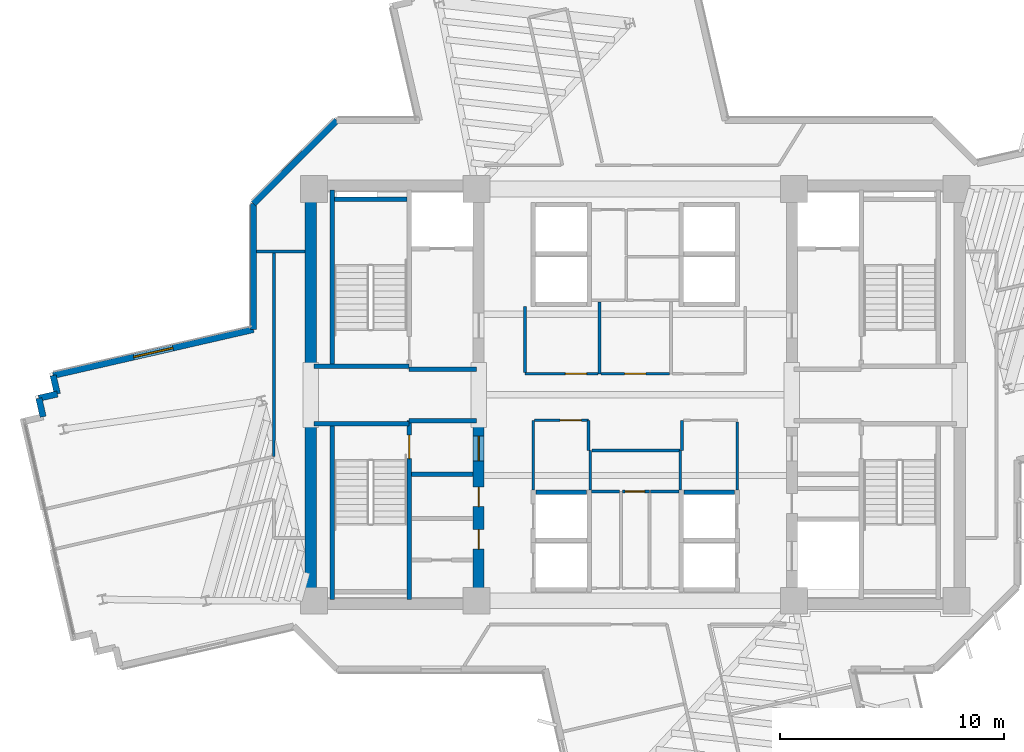
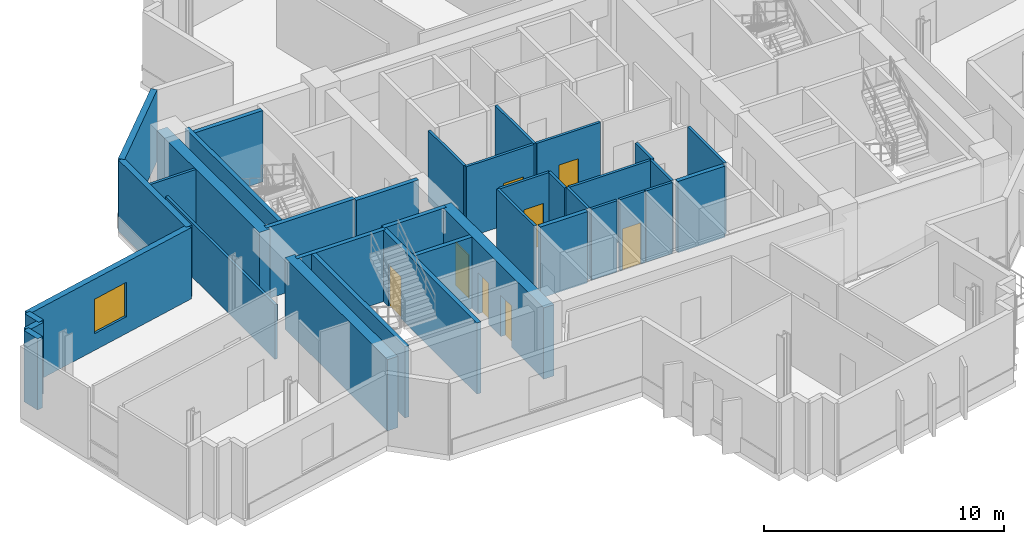
# One storey, part 7 of 13: 37 walls, 8 doors, 1 window, 9 openings.
"""IFC4 building model written with IfcOpenShell, lengths in metres."""

from ifc_helpers import new_model, si_unit, direction, frame, frame_2d, origin, place, context, subcontext, project, spatial, rectangle, extrude, source, transform, mapped, material, layer, layer_set, type_object, element, fill, save


model = new_model("IFC4")

# Units and contexts
model_context = context("Model", 3, precision=1e-05, world=origin(), true_north=direction((0.0, 1.0)))
body_context = subcontext(model_context, "Body", "Model", "MODEL_VIEW")
ifc_project = project(units=[si_unit("LENGTHUNIT", "METRE"), si_unit("AREAUNIT", "SQUARE_METRE"), si_unit("VOLUMEUNIT", "CUBIC_METRE"), si_unit("PLANEANGLEUNIT", "RADIAN"), si_unit("MASSUNIT", "GRAM", prefix="KILO")], contexts=[model_context])

# Site, building, storey
site_placement = place(None, origin())
site = spatial("IfcSite", under=ifc_project, at=site_placement, CompositionType="ELEMENT")
building_placement = place(site_placement, origin())
building = spatial("IfcBuilding", under=site, at=building_placement, Name="Zahravan Cultural Tower", CompositionType="ELEMENT")
storey_placement = place(building_placement, frame((0.0, 0.0, 170.699951171875)))
storey = spatial("IfcBuildingStorey", under=building, at=storey_placement, Name="L39", CompositionType="ELEMENT", Elevation=170.699951171875)

# Wall, openings, doors
ifc_material_1 = material(Name="Concrete C60/75", Category="concrete")
ifc_layer_1 = layer(ifc_material_1, 0.5)
ifc_layer_set_1 = layer_set([ifc_layer_1], Name="Concrete C60/75")
wall_type_1 = type_object("IfcWallType", Name="CW-SHEAR-500-C60", PredefinedType="SHEAR", material=ifc_layer_set_1)
wall_1_placement = place(storey_placement, frame((29.0, 17.39990234375, 0.0), z_axis=(0.0, 0.0, 1.0), x_axis=(0.0, 1.0, 0.0)))
wall_1 = element("IfcWall", 1, at=wall_1_placement, inside=storey, type_object=wall_type_1, Name="L39 Core Shear Wall CW-W-ES-L39", PredefinedType="SHEAR", context=body_context, shape_type="SweptSolid", body=[
    extrude(rectangle(XDim=8.550048828125, YDim=0.5, at=frame_2d((4.27490234375, 0.0))), origin(), (0.0, 0.0, 1.0), 3.6201171875),
])
opening_1_placement = place(wall_1_placement, frame((6.64990234375, 0.0, 0.0)))
opening_1 = element("IfcOpeningElement", 2, at=opening_1_placement, cuts=wall_1, Name="Opening D-L39-07", PredefinedType="OPENING", context=body_context, shape_type="SweptSolid", body=[
    extrude(rectangle(XDim=1.10009765625, YDim=2.199951171875, at=frame_2d((0.550048828125, 1.10009765625))), frame((0.0, 0.260009765625, 0.0), z_axis=(0.0, -1.0, 0.0), x_axis=(1.0, 0.0, 0.0)), (0.0, 0.0, 1.0), 0.52001953125),
])
opening_2_placement = place(wall_1_placement, frame((2.699951171875, 0.0, 0.0)))
opening_2 = element("IfcOpeningElement", 3, at=opening_2_placement, cuts=wall_1, Name="Opening D-L39-10", PredefinedType="OPENING", context=body_context, shape_type="SweptSolid", body=[
    extrude(rectangle(XDim=0.8798828125, YDim=2.10009765625, at=frame_2d((0.43994140625, 1.050048828125))), frame((0.0, 0.260009765625, 0.0), z_axis=(0.0, -1.0, 0.0), x_axis=(1.0, 0.0, 0.0)), (0.0, 0.0, 1.0), 0.52001953125),
])
opening_3_placement = place(wall_1_placement, frame((4.60009765625, 0.0, 0.0)))
opening_3 = element("IfcOpeningElement", 4, at=opening_3_placement, cuts=wall_1, Name="Opening D-L39-11", PredefinedType="OPENING", context=body_context, shape_type="SweptSolid", body=[
    extrude(rectangle(XDim=0.8798828125, YDim=2.10009765625, at=frame_2d((0.43994140625, 1.050048828125))), frame((0.0, 0.260009765625, 0.0), z_axis=(0.0, -1.0, 0.0), x_axis=(1.0, 0.0, 0.0)), (0.0, 0.0, 1.0), 0.52001953125),
])
ifc_material_2 = material(Name="Steel ASTM A572 Grade 50", Category="steel")
door_type_1 = type_object("IfcDoorType", Name="DR-LOBBY-1100", OperationType="NOTDEFINED", PredefinedType="DOOR", material=ifc_material_2)
shared_shape_1 = source(origin(), body_context, "Body", "SweptSolid", [
    extrude(rectangle(XDim=1.10009765625, YDim=2.199951171875, at=frame_2d((0.550048828125, 1.10009765625))), frame((0.0, 0.02490234375, 0.0), z_axis=(0.0, -1.0, 0.0), x_axis=(1.0, 0.0, 0.0)), (0.0, 0.0, 1.0), 0.050048828125),
])
door_1_placement = place(opening_1_placement, origin())
door_1 = element("IfcDoor", 5, at=door_1_placement, inside=storey, type_object=door_type_1, Name="L39 Door D-L39-07", OperationType="SINGLE_SWING_LEFT", OverallHeight=2.199951171875, OverallWidth=1.10009765625, PredefinedType="DOOR", context=body_context, shape_type="MappedRepresentation", body=[
    mapped(shared_shape_1, transform((0.0, 0.0, 0.0), x_axis=(1.0, 0.0, 0.0), y_axis=(0.0, 1.0, 0.0), z_axis=(0.0, 0.0, 1.0), scale=1.0)),
])
fill(opening_1, door_1)
door_type_2 = type_object("IfcDoorType", Name="DR-SVC-880", OperationType="NOTDEFINED", PredefinedType="DOOR", material=ifc_material_2)
shared_shape_2 = source(origin(), body_context, "Body", "SweptSolid", [
    extrude(rectangle(XDim=0.8798828125, YDim=2.10009765625, at=frame_2d((0.43994140625, 1.050048828125))), frame((0.0, 0.02490234375, 0.0), z_axis=(0.0, -1.0, 0.0), x_axis=(1.0, 0.0, 0.0)), (0.0, 0.0, 1.0), 0.050048828125),
])
door_2_placement = place(opening_2_placement, origin())
door_2 = element("IfcDoor", 6, at=door_2_placement, inside=storey, type_object=door_type_2, Name="L39 Door D-L39-10", OperationType="SINGLE_SWING_RIGHT", OverallHeight=2.10009765625, OverallWidth=0.8798828125, PredefinedType="DOOR", context=body_context, shape_type="MappedRepresentation", body=[
    mapped(shared_shape_2, transform((0.0, 0.0, 0.0), x_axis=(1.0, 0.0, 0.0), y_axis=(0.0, 1.0, 0.0), z_axis=(0.0, 0.0, 1.0), scale=1.0)),
])
fill(opening_2, door_2)
door_3_placement = place(opening_3_placement, origin())
door_3 = element("IfcDoor", 7, at=door_3_placement, inside=storey, type_object=door_type_2, Name="L39 Door D-L39-11", OperationType="SINGLE_SWING_LEFT", OverallHeight=2.10009765625, OverallWidth=0.8798828125, PredefinedType="DOOR", context=body_context, shape_type="MappedRepresentation", body=[
    mapped(shared_shape_2, transform((0.0, 0.0, 0.0), x_axis=(1.0, 0.0, 0.0), y_axis=(0.0, 1.0, 0.0), z_axis=(0.0, 0.0, 1.0), scale=1.0)),
])
fill(opening_3, door_3)

# Wall, opening, window
ifc_material_3 = material(Name="Precast concrete C40/50", Category="concrete")
ifc_layer_2 = layer(ifc_material_3, 0.280029296875)
ifc_layer_set_2 = layer_set([ifc_layer_2], Name="Precast concrete C40/50")
wall_type_2 = type_object("IfcWallType", Name="EW-TC-280", PredefinedType="SOLIDWALL", material=ifc_layer_set_2)
wall_2_placement = place(storey_placement, frame((9.98779296875, 27.86572265625, 0.0), z_axis=(0.0, 0.0, 1.0), x_axis=(0.974680686557, 0.223601340005, 0.0)))
wall_2 = element("IfcWall", 8, at=wall_2_placement, inside=storey, type_object=wall_type_2, Name="L39 Exterior Masonry Frame Wall 36", PredefinedType="SOLIDWALL", context=body_context, shape_type="SweptSolid", body=[
    extrude(rectangle(XDim=9.184814453125, YDim=0.280029296875, at=frame_2d((4.59228515625, 0.0))), origin(), (0.0, 0.0, 1.0), 3.6201171875),
])
opening_4_placement = place(wall_2_placement, frame((3.69189453125, 0.0, 0.85009765625)))
opening_4 = element("IfcOpeningElement", 9, at=opening_4_placement, cuts=wall_2, Name="Opening WN-02", PredefinedType="OPENING", context=body_context, shape_type="SweptSolid", body=[
    extrude(rectangle(XDim=1.800048828125, YDim=1.75, at=frame_2d((0.89990234375, 0.875))), frame((0.0, 0.14990234375, 0.0), z_axis=(0.0, -1.0, 0.0), x_axis=(1.0, 0.0, 0.0)), (0.0, 0.0, 1.0), 0.300048828125),
])
ifc_material_4 = material(Name="Low-E solar-control double glazing", Category="glass")
window_type = type_object("IfcWindowType", Name="WN-REC-1800X1750", PartitioningType="DOUBLE_PANEL_VERTICAL", PredefinedType="WINDOW", material=ifc_material_4)
shared_shape_3 = source(origin(), body_context, "Body", "SweptSolid", [
    extrude(rectangle(XDim=1.800048828125, YDim=1.75, at=frame_2d((0.89990234375, 0.875))), frame((0.0, 0.030029296875, 0.0), z_axis=(0.0, -1.0, 0.0), x_axis=(1.0, 0.0, 0.0)), (0.0, 0.0, 1.0), 0.06005859375),
])
window_placement = place(opening_4_placement, origin())
window = element("IfcWindow", 10, at=window_placement, inside=storey, type_object=window_type, Name="L39 Recessed Solar Window 08", OverallHeight=1.75, OverallWidth=1.800048828125, PartitioningType="DOUBLE_PANEL_VERTICAL", PredefinedType="WINDOW", context=body_context, shape_type="MappedRepresentation", body=[
    mapped(shared_shape_3, transform((0.0, 0.0, 0.0), x_axis=(1.0, 0.0, 0.0), y_axis=(0.0, 1.0, 0.0), z_axis=(0.0, 0.0, 1.0), scale=1.0)),
])
fill(opening_4, window)

# Wall, opening, door
ifc_material_5 = material(Name="Gypsum plasterboard partition")
ifc_layer_3 = layer(ifc_material_5, 0.125)
ifc_layer_set_3 = layer_set([ifc_layer_3], Name="Gypsum plasterboard partition")
wall_type_3 = type_object("IfcWallType", Name="W-PART-125", PredefinedType="PARTITIONING", material=ifc_layer_set_3)
wall_3_placement = place(storey_placement, frame((35.427490234375, 22.679931640625, 0.0), z_axis=(0.0, 0.0, 1.0), x_axis=(1.0, 0.0, 0.0)))
wall_3 = element("IfcWall", 11, at=wall_3_placement, inside=storey, type_object=wall_type_3, Name="L39 Interior Wall 063", PredefinedType="PARTITIONING", context=body_context, shape_type="SweptSolid", body=[
    extrude(rectangle(XDim=1.21240234375, YDim=0.125, at=frame_2d((0.606201171875, 0.0))), origin(), (0.0, 0.0, 1.0), 3.6201171875),
])
opening_5_placement = place(wall_3_placement, frame((0.116455078125, 0.0, 0.0)))
opening_5 = element("IfcOpeningElement", 12, at=opening_5_placement, cuts=wall_3, Name="Opening D-L39-32", PredefinedType="OPENING", context=body_context, shape_type="SweptSolid", body=[
    extrude(rectangle(XDim=0.8798828125, YDim=2.10009765625, at=frame_2d((0.43994140625, 1.050048828125))), frame((0.0, 0.072509765625, 0.0), z_axis=(0.0, -1.0, 0.0), x_axis=(1.0, 0.0, 0.0)), (0.0, 0.0, 1.0), 0.14501953125),
])
ifc_material_6 = material(Name="Anodised bronze-aluminium mullion", Category="aluminium")
door_type_3 = type_object("IfcDoorType", Name="DR-ROOM-880", OperationType="NOTDEFINED", PredefinedType="DOOR", material=ifc_material_6)
door_4_placement = place(opening_5_placement, origin())
door_4 = element("IfcDoor", 13, at=door_4_placement, inside=storey, type_object=door_type_3, Name="L39 Door D-L39-32", OperationType="SINGLE_SWING_RIGHT", OverallHeight=2.10009765625, OverallWidth=0.8798828125, PredefinedType="DOOR", context=body_context, shape_type="MappedRepresentation", body=[
    mapped(shared_shape_2, transform((0.0, 0.0, 0.0), x_axis=(1.0, 0.0, 0.0), y_axis=(0.0, 1.0, 0.0), z_axis=(0.0, 0.0, 1.0), scale=1.0)),
])
fill(opening_5, door_4)

wall_4_placement = place(storey_placement, frame((31.507568359375, 25.860107421875, 0.0), z_axis=(0.0, 0.0, 1.0), x_axis=(1.0, 0.0, 0.0)))
wall_4 = element("IfcWall", 14, at=wall_4_placement, inside=storey, type_object=wall_type_3, Name="L39 Interior Wall 076", PredefinedType="PARTITIONING", context=body_context, shape_type="SweptSolid", body=[
    extrude(rectangle(XDim=2.40234375, YDim=0.125, at=frame_2d((1.201171875, 0.0))), origin(), (0.0, 0.0, 1.0), 3.6201171875),
])
opening_6_placement = place(wall_4_placement, frame((1.1328125, 0.0, 0.0)))
opening_6 = element("IfcOpeningElement", 15, at=opening_6_placement, cuts=wall_4, Name="Opening D-L39-13", PredefinedType="OPENING", context=body_context, shape_type="SweptSolid", body=[
    extrude(rectangle(XDim=0.949951171875, YDim=2.14990234375, at=frame_2d((0.47509765625, 1.074951171875))), frame((0.0, 0.072509765625, 0.0), z_axis=(0.0, -1.0, 0.0), x_axis=(1.0, 0.0, 0.0)), (0.0, 0.0, 1.0), 0.14501953125),
])
door_type_4 = type_object("IfcDoorType", Name="DR-ROOM-950", OperationType="NOTDEFINED", PredefinedType="DOOR", material=ifc_material_6)
shared_shape_4 = source(origin(), body_context, "Body", "SweptSolid", [
    extrude(rectangle(XDim=0.949951171875, YDim=2.14990234375, at=frame_2d((0.47509765625, 1.074951171875))), frame((0.0, 0.02490234375, 0.0), z_axis=(0.0, -1.0, 0.0), x_axis=(1.0, 0.0, 0.0)), (0.0, 0.0, 1.0), 0.050048828125),
])
door_5_placement = place(opening_6_placement, origin())
door_5 = element("IfcDoor", 16, at=door_5_placement, inside=storey, type_object=door_type_4, Name="L39 Door D-L39-13", OperationType="SINGLE_SWING_LEFT", OverallHeight=2.14990234375, OverallWidth=0.949951171875, PredefinedType="DOOR", context=body_context, shape_type="MappedRepresentation", body=[
    mapped(shared_shape_4, transform((0.0, 0.0, 0.0), x_axis=(1.0, 0.0, 0.0), y_axis=(0.0, 1.0, 0.0), z_axis=(0.0, 0.0, 1.0), scale=1.0)),
])
fill(opening_6, door_5)

wall_5_placement = place(storey_placement, frame((37.532470703125, 27.93994140625, 0.0), z_axis=(0.0, 0.0, 1.0), x_axis=(-1.0, 0.0, 0.0)))
wall_5 = element("IfcWall", 17, at=wall_5_placement, inside=storey, type_object=wall_type_3, Name="L39 Interior Wall 083", PredefinedType="PARTITIONING", context=body_context, shape_type="SweptSolid", body=[
    extrude(rectangle(XDim=3.06494140625, YDim=0.125, at=frame_2d((1.532470703125, 0.0))), origin(), (0.0, 0.0, 1.0), 3.6201171875),
])
opening_7_placement = place(wall_5_placement, frame((1.0576171875, 0.0, 0.0)))
opening_7 = element("IfcOpeningElement", 18, at=opening_7_placement, cuts=wall_5, Name="Opening D-L39-18", PredefinedType="OPENING", context=body_context, shape_type="SweptSolid", body=[
    extrude(rectangle(XDim=0.949951171875, YDim=2.14990234375, at=frame_2d((0.47509765625, 1.074951171875))), frame((0.0, 0.072509765625, 0.0), z_axis=(0.0, -1.0, 0.0), x_axis=(1.0, 0.0, 0.0)), (0.0, 0.0, 1.0), 0.14501953125),
])
door_6_placement = place(opening_7_placement, origin())
door_6 = element("IfcDoor", 19, at=door_6_placement, inside=storey, type_object=door_type_4, Name="L39 Door D-L39-18", OperationType="SINGLE_SWING_RIGHT", OverallHeight=2.14990234375, OverallWidth=0.949951171875, PredefinedType="DOOR", context=body_context, shape_type="MappedRepresentation", body=[
    mapped(shared_shape_4, transform((0.0, 0.0, 0.0), x_axis=(1.0, 0.0, 0.0), y_axis=(0.0, 1.0, 0.0), z_axis=(0.0, 0.0, 1.0), scale=1.0)),
])
fill(opening_7, door_6)

wall_6_placement = place(storey_placement, frame((34.33251953125, 27.93994140625, 0.0), z_axis=(0.0, 0.0, 1.0), x_axis=(-1.0, 0.0, 0.0)))
wall_6 = element("IfcWall", 20, at=wall_6_placement, inside=storey, type_object=wall_type_3, Name="L39 Interior Wall 084", PredefinedType="PARTITIONING", context=body_context, shape_type="SweptSolid", body=[
    extrude(rectangle(XDim=3.25244140625, YDim=0.125, at=frame_2d((1.626220703125, 0.0))), origin(), (0.0, 0.0, 1.0), 3.6201171875),
])
opening_8_placement = place(wall_6_placement, frame((0.506591796875, 0.0, 0.0)))
opening_8 = element("IfcOpeningElement", 21, at=opening_8_placement, cuts=wall_6, Name="Opening D-L39-17", PredefinedType="OPENING", context=body_context, shape_type="SweptSolid", body=[
    extrude(rectangle(XDim=0.949951171875, YDim=2.14990234375, at=frame_2d((0.47509765625, 1.074951171875))), frame((0.0, 0.072509765625, 0.0), z_axis=(0.0, -1.0, 0.0), x_axis=(1.0, 0.0, 0.0)), (0.0, 0.0, 1.0), 0.14501953125),
])
door_7_placement = place(opening_8_placement, origin())
door_7 = element("IfcDoor", 22, at=door_7_placement, inside=storey, type_object=door_type_4, Name="L39 Door D-L39-17", OperationType="SINGLE_SWING_LEFT", OverallHeight=2.14990234375, OverallWidth=0.949951171875, PredefinedType="DOOR", context=body_context, shape_type="MappedRepresentation", body=[
    mapped(shared_shape_4, transform((0.0, 0.0, 0.0), x_axis=(1.0, 0.0, 0.0), y_axis=(0.0, 1.0, 0.0), z_axis=(0.0, 0.0, 1.0), scale=1.0)),
])
fill(opening_8, door_7)

ifc_material_7 = material(Name="Concrete C45/55", Category="concrete")
ifc_layer_4 = layer(ifc_material_7, 0.199951171875)
ifc_layer_set_4 = layer_set([ifc_layer_4], Name="Concrete C45/55")
wall_type_4 = type_object("IfcWallType", Name="W-SHAFT-200", PredefinedType="SOLIDWALL", material=ifc_layer_set_4)
wall_7_placement = place(storey_placement, frame((25.89990234375, 17.85009765625, 0.0), z_axis=(0.0, 0.0, 1.0), x_axis=(0.0, 1.0, 0.0)))
wall_7 = element("IfcWall", 23, at=wall_7_placement, inside=storey, type_object=wall_type_4, Name="L39 Interior Wall 005", PredefinedType="SOLIDWALL", context=body_context, shape_type="SweptSolid", body=[
    extrude(rectangle(XDim=8.0, YDim=0.199951171875, at=frame_2d((4.0, 0.0))), origin(), (0.0, 0.0, 1.0), 3.6201171875),
])
opening_9_placement = place(wall_7_placement, frame((6.300048828125, 0.0, 0.0)))
opening_9 = element("IfcOpeningElement", 24, at=opening_9_placement, cuts=wall_7, Name="Opening D-L39-04", PredefinedType="OPENING", context=body_context, shape_type="SweptSolid", body=[
    extrude(rectangle(XDim=1.050048828125, YDim=2.14990234375, at=frame_2d((0.52490234375, 1.074951171875))), frame((0.0, 0.10986328125, 0.0), z_axis=(0.0, -1.0, 0.0), x_axis=(1.0, 0.0, 0.0)), (0.0, 0.0, 1.0), 0.219970703125),
])
door_type_5 = type_object("IfcDoorType", Name="DR-STAIR-1050", OperationType="NOTDEFINED", PredefinedType="DOOR", material=ifc_material_2)
shared_shape_5 = source(origin(), body_context, "Body", "SweptSolid", [
    extrude(rectangle(XDim=1.050048828125, YDim=2.14990234375, at=frame_2d((0.52490234375, 1.074951171875))), frame((0.0, 0.02490234375, 0.0), z_axis=(0.0, -1.0, 0.0), x_axis=(1.0, 0.0, 0.0)), (0.0, 0.0, 1.0), 0.050048828125),
])
door_8_placement = place(opening_9_placement, origin())
door_8 = element("IfcDoor", 25, at=door_8_placement, inside=storey, type_object=door_type_5, Name="L39 Door D-L39-04", OperationType="SINGLE_SWING_RIGHT", OverallHeight=2.14990234375, OverallWidth=1.050048828125, PredefinedType="DOOR", context=body_context, shape_type="MappedRepresentation", body=[
    mapped(shared_shape_5, transform((0.0, 0.0, 0.0), x_axis=(1.0, 0.0, 0.0), y_axis=(0.0, 1.0, 0.0), z_axis=(0.0, 0.0, 1.0), scale=1.0)),
])
fill(opening_9, door_8)

# Walls
shared_shape_6 = source(origin(), body_context, "Body", "SweptSolid", [
    extrude(rectangle(XDim=8.550048828125, YDim=0.5, at=frame_2d((4.27490234375, 0.0))), origin(), (0.0, 0.0, 1.0), 3.6201171875),
])
for number, where, z_axis, x_axis, name in (
    (26, (21.5, 17.39990234375, 0.0), (0.0, 0.0, 1.0), (0.0, 1.0, 0.0), "L39 Core Shear Wall CW-W-WS-L39"),
    (27, (21.5, 28.050048828125, 0.0), (0.0, 0.0, 1.0), (0.0, 1.0, 0.0), "L39 Core Shear Wall CW-W-WN-L39"),
):
    element("IfcWall", number, at=place(storey_placement, frame(where, z_axis=z_axis, x_axis=x_axis)), inside=storey, type_object=wall_type_1, Name=name, PredefinedType="SHEAR", context=body_context, shape_type="MappedRepresentation", body=[
        mapped(shared_shape_6, transform((0.0, 0.0, 0.0), x_axis=(1.0, 0.0, 0.0), y_axis=(0.0, 1.0, 0.0), z_axis=(0.0, 0.0, 1.0), scale=1.0)),
    ])
shared_shape_7 = source(origin(), body_context, "Body", "SweptSolid", [
    extrude(rectangle(XDim=0.85009765625, YDim=0.280029296875, at=frame_2d((0.425048828125, 0.0))), origin(), (0.0, 0.0, 1.0), 3.6201171875),
])
wall_8_placement = place(storey_placement, frame((9.539306640625, 26.018798828125, 0.0), z_axis=(0.0, 0.0, 1.0), x_axis=(-0.22316012353, 0.974781800849, 0.0)))
element("IfcWall", 28, at=wall_8_placement, inside=storey, type_object=wall_type_2, Name="L39 Exterior Masonry Frame Wall 33", PredefinedType="SOLIDWALL", context=body_context, shape_type="MappedRepresentation", body=[
    mapped(shared_shape_7, transform((0.0, 0.0, 0.0), x_axis=(1.0, 0.0, 0.0), y_axis=(0.0, 1.0, 0.0), z_axis=(0.0, 0.0, 1.0), scale=1.0)),
])
shared_shape_8 = source(origin(), body_context, "Body", "SweptSolid", [
    extrude(rectangle(XDim=5.258056640625, YDim=0.280029296875, at=frame_2d((2.62890625, 0.0))), origin(), (0.0, 0.0, 1.0), 3.6201171875),
])
wall_9_placement = place(storey_placement, frame((18.93994140625, 35.5419921875, 0.0), z_axis=(0.0, 0.0, 1.0), x_axis=(0.707106781187, 0.707106781187, 0.0)))
element("IfcWall", 29, at=wall_9_placement, inside=storey, type_object=wall_type_2, Name="L39 Exterior Masonry Frame Wall 38", PredefinedType="SOLIDWALL", context=body_context, shape_type="MappedRepresentation", body=[
    mapped(shared_shape_8, transform((0.0, 0.0, 0.0), x_axis=(1.0, 0.0, 0.0), y_axis=(0.0, 1.0, 0.0), z_axis=(0.0, 0.0, 1.0), scale=1.0)),
])
shared_shape_9 = source(origin(), body_context, "Body", "SweptSolid", [
    extrude(rectangle(XDim=0.849853515625, YDim=0.280029296875, at=frame_2d((0.4248046875, 0.0))), origin(), (0.0, 0.0, 1.0), 3.6201171875),
])
for number, where, z_axis, x_axis, name in (
    (30, (9.349609375, 26.847412109375, 0.0), (0.0, 0.0, 1.0), (0.974704946586, 0.223495563939, 0.0), "L39 Exterior Masonry Frame Wall 34"),
    (31, (10.177978515625, 27.037353515625, 0.0), (0.0, 0.0, 1.0), (-0.223768457828, 0.974642333003, 0.0), "L39 Exterior Masonry Frame Wall 35"),
):
    element("IfcWall", number, at=place(storey_placement, frame(where, z_axis=z_axis, x_axis=x_axis)), inside=storey, type_object=wall_type_2, Name=name, PredefinedType="SOLIDWALL", context=body_context, shape_type="MappedRepresentation", body=[
        mapped(shared_shape_9, transform((0.0, 0.0, 0.0), x_axis=(1.0, 0.0, 0.0), y_axis=(0.0, 1.0, 0.0), z_axis=(0.0, 0.0, 1.0), scale=1.0)),
    ])
shared_shape_10 = source(origin(), body_context, "Body", "SweptSolid", [
    extrude(rectangle(XDim=5.62255859375, YDim=0.280029296875, at=frame_2d((2.811279296875, 0.0))), origin(), (0.0, 0.0, 1.0), 3.6201171875),
])
wall_10_placement = place(storey_placement, frame((18.93994140625, 29.91943359375, 0.0), z_axis=(0.0, 0.0, 1.0), x_axis=(0.0, 1.0, 0.0)))
element("IfcWall", 32, at=wall_10_placement, inside=storey, type_object=wall_type_2, Name="L39 Exterior Masonry Frame Wall 37", PredefinedType="SOLIDWALL", context=body_context, shape_type="MappedRepresentation", body=[
    mapped(shared_shape_10, transform((0.0, 0.0, 0.0), x_axis=(1.0, 0.0, 0.0), y_axis=(0.0, 1.0, 0.0), z_axis=(0.0, 0.0, 1.0), scale=1.0)),
])
shared_shape_11 = source(origin(), body_context, "Body", "SweptSolid", [
    extrude(rectangle(XDim=7.869873046875, YDim=0.199951171875, at=frame_2d((3.93505859375, 0.0))), origin(), (0.0, 0.0, 1.0), 3.6201171875),
])
for number, where, z_axis, x_axis, name in (
    (33, (22.449951171875, 17.85009765625, 0.0), (0.0, 0.0, 1.0), (0.0, 1.0, 0.0), "L39 Interior Wall 001"),
    (34, (22.449951171875, 28.280029296875, 0.0), (0.0, 0.0, 1.0), (0.0, 1.0, 0.0), "L39 Interior Wall 002"),
):
    element("IfcWall", number, at=place(storey_placement, frame(where, z_axis=z_axis, x_axis=x_axis)), inside=storey, type_object=wall_type_4, Name=name, PredefinedType="SOLIDWALL", context=body_context, shape_type="MappedRepresentation", body=[
        mapped(shared_shape_11, transform((0.0, 0.0, 0.0), x_axis=(1.0, 0.0, 0.0), y_axis=(0.0, 1.0, 0.0), z_axis=(0.0, 0.0, 1.0), scale=1.0)),
    ])
shared_shape_12 = source(origin(), body_context, "Body", "SweptSolid", [
    extrude(rectangle(XDim=4.25, YDim=0.199951171875, at=frame_2d((2.125, 0.0))), origin(), (0.0, 0.0, 1.0), 3.6201171875),
])
for number, where, z_axis, x_axis, name in (
    (35, (21.64990234375, 25.715087890625, 0.0), (0.0, 0.0, 1.0), (1.0, 0.0, 0.0), "L39 Interior Wall 009"),
    (36, (21.64990234375, 28.284912109375, 0.0), (0.0, 0.0, 1.0), (1.0, 0.0, 0.0), "L39 Interior Wall 011"),
):
    element("IfcWall", number, at=place(storey_placement, frame(where, z_axis=z_axis, x_axis=x_axis)), inside=storey, type_object=wall_type_4, Name=name, PredefinedType="SOLIDWALL", context=body_context, shape_type="MappedRepresentation", body=[
        mapped(shared_shape_12, transform((0.0, 0.0, 0.0), x_axis=(1.0, 0.0, 0.0), y_axis=(0.0, 1.0, 0.0), z_axis=(0.0, 0.0, 1.0), scale=1.0)),
    ])
shared_shape_13 = source(origin(), body_context, "Body", "SweptSolid", [
    extrude(rectangle(XDim=3.0, YDim=0.199951171875, at=frame_2d((1.5, 0.0))), origin(), (0.0, 0.0, 1.0), 3.6201171875),
])
for number, where, z_axis, x_axis, name in (
    (37, (25.89990234375, 25.85009765625, 0.0), (0.0, 0.0, 1.0), (1.0, 0.0, 0.0), "L39 Interior Wall 010"),
    (38, (25.89990234375, 28.14990234375, 0.0), (0.0, 0.0, 1.0), (1.0, 0.0, 0.0), "L39 Interior Wall 012"),
):
    element("IfcWall", number, at=place(storey_placement, frame(where, z_axis=z_axis, x_axis=x_axis)), inside=storey, type_object=wall_type_4, Name=name, PredefinedType="SOLIDWALL", context=body_context, shape_type="MappedRepresentation", body=[
        mapped(shared_shape_13, transform((0.0, 0.0, 0.0), x_axis=(1.0, 0.0, 0.0), y_axis=(0.0, 1.0, 0.0), z_axis=(0.0, 0.0, 1.0), scale=1.0)),
    ])
shared_shape_14 = source(origin(), body_context, "Body", "SweptSolid", [
    extrude(rectangle(XDim=3.25, YDim=0.199951171875, at=frame_2d((1.625, 0.0))), origin(), (0.0, 0.0, 1.0), 3.6201171875),
])
wall_11_placement = place(storey_placement, frame((22.550048828125, 35.75, 0.0), z_axis=(0.0, 0.0, 1.0), x_axis=(1.0, 0.0, 0.0)))
element("IfcWall", 39, at=wall_11_placement, inside=storey, type_object=wall_type_4, Name="L39 Interior Wall 017", PredefinedType="SOLIDWALL", context=body_context, shape_type="MappedRepresentation", body=[
    mapped(shared_shape_14, transform((0.0, 0.0, 0.0), x_axis=(1.0, 0.0, 0.0), y_axis=(0.0, 1.0, 0.0), z_axis=(0.0, 0.0, 1.0), scale=1.0)),
])
shared_shape_15 = source(origin(), body_context, "Body", "SweptSolid", [
    extrude(rectangle(XDim=2.75, YDim=0.199951171875, at=frame_2d((1.375, 0.0))), origin(), (0.0, 0.0, 1.0), 3.6201171875),
])
wall_12_placement = place(storey_placement, frame((26.0, 23.449951171875, 0.0), z_axis=(0.0, 0.0, 1.0), x_axis=(1.0, 0.0, 0.0)))
element("IfcWall", 40, at=wall_12_placement, inside=storey, type_object=wall_type_4, Name="L39 Interior Wall 023", PredefinedType="SOLIDWALL", context=body_context, shape_type="MappedRepresentation", body=[
    mapped(shared_shape_15, transform((0.0, 0.0, 0.0), x_axis=(1.0, 0.0, 0.0), y_axis=(0.0, 1.0, 0.0), z_axis=(0.0, 0.0, 1.0), scale=1.0)),
])
shared_shape_16 = source(origin(), body_context, "Body", "SweptSolid", [
    extrude(rectangle(XDim=2.260009765625, YDim=0.199951171875, at=frame_2d((1.1298828125, 0.0))), origin(), (0.0, 0.0, 1.0), 3.6201171875),
])
for number, where, z_axis, x_axis, name in (
    (41, (31.570068359375, 22.64990234375, 0.0), (0.0, 0.0, 1.0), (1.0, 0.0, 0.0), "L39 Interior Wall 046"),
    (42, (38.169921875, 22.64990234375, 0.0), (0.0, 0.0, 1.0), (1.0, 0.0, 0.0), "L39 Interior Wall 053"),
):
    element("IfcWall", number, at=place(storey_placement, frame(where, z_axis=z_axis, x_axis=x_axis)), inside=storey, type_object=wall_type_4, Name=name, PredefinedType="SOLIDWALL", context=body_context, shape_type="MappedRepresentation", body=[
        mapped(shared_shape_16, transform((0.0, 0.0, 0.0), x_axis=(1.0, 0.0, 0.0), y_axis=(0.0, 1.0, 0.0), z_axis=(0.0, 0.0, 1.0), scale=1.0)),
    ])
shared_shape_17 = source(origin(), body_context, "Body", "SweptSolid", [
    extrude(rectangle(XDim=3.110107421875, YDim=0.125, at=frame_2d((1.55517578125, 0.0))), origin(), (0.0, 0.0, 1.0), 3.6201171875),
])
wall_13_placement = place(storey_placement, frame((31.43994140625, 22.75, 0.0), z_axis=(0.0, 0.0, 1.0), x_axis=(0.0, 1.0, 0.0)))
element("IfcWall", 43, at=wall_13_placement, inside=storey, type_object=wall_type_3, Name="L39 Interior Wall 075", PredefinedType="PARTITIONING", context=body_context, shape_type="MappedRepresentation", body=[
    mapped(shared_shape_17, transform((0.0, 0.0, 0.0), x_axis=(1.0, 0.0, 0.0), y_axis=(0.0, 1.0, 0.0), z_axis=(0.0, 0.0, 1.0), scale=1.0)),
])
shared_shape_18 = source(origin(), body_context, "Body", "SweptSolid", [
    extrude(rectangle(XDim=3.04248046875, YDim=0.125, at=frame_2d((1.521240234375, 0.0))), origin(), (0.0, 0.0, 1.0), 3.6201171875),
])
wall_14_placement = place(storey_placement, frame((40.56005859375, 25.79248046875, 0.0), z_axis=(0.0, 0.0, 1.0), x_axis=(0.0, -1.0, 0.0)))
element("IfcWall", 44, at=wall_14_placement, inside=storey, type_object=wall_type_3, Name="L39 Interior Wall 080", PredefinedType="PARTITIONING", context=body_context, shape_type="MappedRepresentation", body=[
    mapped(shared_shape_18, transform((0.0, 0.0, 0.0), x_axis=(1.0, 0.0, 0.0), y_axis=(0.0, 1.0, 0.0), z_axis=(0.0, 0.0, 1.0), scale=1.0)),
])
shared_shape_19 = source(origin(), body_context, "Body", "SweptSolid", [
    extrude(rectangle(XDim=2.9423828125, YDim=0.125, at=frame_2d((1.47119140625, 0.0))), origin(), (0.0, 0.0, 1.0), 3.6201171875),
])
wall_15_placement = place(storey_placement, frame((31.080078125, 28.007568359375, 0.0), z_axis=(0.0, 0.0, 1.0), x_axis=(0.0, 1.0, 0.0)))
element("IfcWall", 45, at=wall_15_placement, inside=storey, type_object=wall_type_3, Name="L39 Interior Wall 085", PredefinedType="PARTITIONING", context=body_context, shape_type="MappedRepresentation", body=[
    mapped(shared_shape_19, transform((0.0, 0.0, 0.0), x_axis=(1.0, 0.0, 0.0), y_axis=(0.0, 1.0, 0.0), z_axis=(0.0, 0.0, 1.0), scale=1.0)),
])
shared_shape_20 = source(origin(), body_context, "Body", "SweptSolid", [
    extrude(rectangle(XDim=1.237548828125, YDim=0.125, at=frame_2d((0.61865234375, 0.0))), origin(), (0.0, 0.0, 1.0), 3.6201171875),
])
wall_16_placement = place(storey_placement, frame((34.054931640625, 22.679931640625, 0.0), z_axis=(0.0, 0.0, 1.0), x_axis=(1.0, 0.0, 0.0)))
element("IfcWall", 46, at=wall_16_placement, inside=storey, type_object=wall_type_3, Name="L39 Interior Wall 066", PredefinedType="PARTITIONING", context=body_context, shape_type="MappedRepresentation", body=[
    mapped(shared_shape_20, transform((0.0, 0.0, 0.0), x_axis=(1.0, 0.0, 0.0), y_axis=(0.0, 1.0, 0.0), z_axis=(0.0, 0.0, 1.0), scale=1.0)),
])
shared_shape_21 = source(origin(), body_context, "Body", "SweptSolid", [
    extrude(rectangle(XDim=1.26513671875, YDim=0.125, at=frame_2d((0.632568359375, 0.0))), origin(), (0.0, 0.0, 1.0), 3.6201171875),
])
wall_17_placement = place(storey_placement, frame((36.679931640625, 22.679931640625, 0.0), z_axis=(0.0, 0.0, 1.0), x_axis=(1.0, 0.0, 0.0)))
element("IfcWall", 47, at=wall_17_placement, inside=storey, type_object=wall_type_3, Name="L39 Interior Wall 068", PredefinedType="PARTITIONING", context=body_context, shape_type="MappedRepresentation", body=[
    mapped(shared_shape_21, transform((0.0, 0.0, 0.0), x_axis=(1.0, 0.0, 0.0), y_axis=(0.0, 1.0, 0.0), z_axis=(0.0, 0.0, 1.0), scale=1.0)),
])
shared_shape_22 = source(origin(), body_context, "Body", "SweptSolid", [
    extrude(rectangle(XDim=1.760009765625, YDim=0.125, at=frame_2d((0.8798828125, 0.0))), origin(), (0.0, 0.0, 1.0), 3.6201171875),
])
for number, where, z_axis, x_axis, name in (
    (48, (33.989990234375, 22.75, 0.0), (0.0, 0.0, 1.0), (0.0, 1.0, 0.0), "L39 Interior Wall 072"),
    (49, (38.010009765625, 24.510009765625, 0.0), (0.0, 0.0, 1.0), (0.0, -1.0, 0.0), "L39 Interior Wall 074"),
):
    element("IfcWall", number, at=place(storey_placement, frame(where, z_axis=z_axis, x_axis=x_axis)), inside=storey, type_object=wall_type_3, Name=name, PredefinedType="PARTITIONING", context=body_context, shape_type="MappedRepresentation", body=[
        mapped(shared_shape_22, transform((0.0, 0.0, 0.0), x_axis=(1.0, 0.0, 0.0), y_axis=(0.0, 1.0, 0.0), z_axis=(0.0, 0.0, 1.0), scale=1.0)),
    ])
shared_shape_23 = source(origin(), body_context, "Body", "SweptSolid", [
    extrude(rectangle(XDim=3.952392578125, YDim=0.125, at=frame_2d((1.97607421875, 0.0))), origin(), (0.0, 0.0, 1.0), 3.6201171875),
])
wall_18_placement = place(storey_placement, frame((34.0576171875, 24.510009765625, 0.0), z_axis=(0.0, 0.0, 1.0), x_axis=(1.0, 0.0, 0.0)))
element("IfcWall", 50, at=wall_18_placement, inside=storey, type_object=wall_type_3, Name="L39 Interior Wall 073", PredefinedType="PARTITIONING", context=body_context, shape_type="MappedRepresentation", body=[
    mapped(shared_shape_23, transform((0.0, 0.0, 0.0), x_axis=(1.0, 0.0, 0.0), y_axis=(0.0, 1.0, 0.0), z_axis=(0.0, 0.0, 1.0), scale=1.0)),
])
shared_shape_24 = source(origin(), body_context, "Body", "SweptSolid", [
    extrude(rectangle(XDim=1.35009765625, YDim=0.125, at=frame_2d((0.675048828125, 0.0))), origin(), (0.0, 0.0, 1.0), 3.6201171875),
])
for number, where, z_axis, x_axis, name in (
    (51, (33.909912109375, 25.860107421875, 0.0), (0.0, 0.0, 1.0), (0.0, -1.0, 0.0), "L39 Interior Wall 077"),
    (52, (38.090087890625, 24.510009765625, 0.0), (0.0, 0.0, 1.0), (0.0, 1.0, 0.0), "L39 Interior Wall 078"),
):
    element("IfcWall", number, at=place(storey_placement, frame(where, z_axis=z_axis, x_axis=x_axis)), inside=storey, type_object=wall_type_3, Name=name, PredefinedType="PARTITIONING", context=body_context, shape_type="MappedRepresentation", body=[
        mapped(shared_shape_24, transform((0.0, 0.0, 0.0), x_axis=(1.0, 0.0, 0.0), y_axis=(0.0, 1.0, 0.0), z_axis=(0.0, 0.0, 1.0), scale=1.0)),
    ])
shared_shape_25 = source(origin(), body_context, "Body", "SweptSolid", [
    extrude(rectangle(XDim=3.199951171875, YDim=0.125, at=frame_2d((1.60009765625, 0.0))), origin(), (0.0, 0.0, 1.0), 3.6201171875),
])
wall_19_placement = place(storey_placement, frame((34.39990234375, 27.93994140625, 0.0), z_axis=(0.0, 0.0, 1.0), x_axis=(0.0, 1.0, 0.0)))
element("IfcWall", 53, at=wall_19_placement, inside=storey, type_object=wall_type_3, Name="L39 Interior Wall 081", PredefinedType="PARTITIONING", context=body_context, shape_type="MappedRepresentation", body=[
    mapped(shared_shape_25, transform((0.0, 0.0, 0.0), x_axis=(1.0, 0.0, 0.0), y_axis=(0.0, 1.0, 0.0), z_axis=(0.0, 0.0, 1.0), scale=1.0)),
])
shared_shape_26 = source(origin(), body_context, "Body", "SweptSolid", [
    extrude(rectangle(XDim=9.160400390625, YDim=0.125, at=frame_2d((4.580078125, 0.0))), origin(), (0.0, 0.0, 1.0), 2.76611328125),
])
wall_20_placement = place(storey_placement, frame((19.853759765625, 33.3994140625, 0.0), z_axis=(0.0, 0.0, 1.0), x_axis=(-0.000399776093, -0.99999992009, 0.0)))
element("IfcWall", 54, at=wall_20_placement, inside=storey, type_object=wall_type_3, Name="L39 Interior Wall 097", PredefinedType="PARTITIONING", context=body_context, shape_type="MappedRepresentation", body=[
    mapped(shared_shape_26, transform((0.0, 0.0, 0.0), x_axis=(1.0, 0.0, 0.0), y_axis=(0.0, 1.0, 0.0), z_axis=(0.0, 0.0, 1.0), scale=1.0)),
])
shared_shape_27 = source(origin(), body_context, "Body", "SweptSolid", [
    extrude(rectangle(XDim=2.1650390625, YDim=0.125, at=frame_2d((1.08251953125, 0.0))), origin(), (0.0, 0.0, 1.0), 3.6201171875),
])
wall_21_placement = place(storey_placement, frame((21.2451171875, 33.39990234375, 0.0), z_axis=(0.0, 0.0, 1.0), x_axis=(-0.999999942778, -0.000338294974, 0.0)))
element("IfcWall", 55, at=wall_21_placement, inside=storey, type_object=wall_type_3, Name="L39 Interior Wall 100", PredefinedType="PARTITIONING", context=body_context, shape_type="MappedRepresentation", body=[
    mapped(shared_shape_27, transform((0.0, 0.0, 0.0), x_axis=(1.0, 0.0, 0.0), y_axis=(0.0, 1.0, 0.0), z_axis=(0.0, 0.0, 1.0), scale=1.0)),
])

save(model, "model.ifc")
